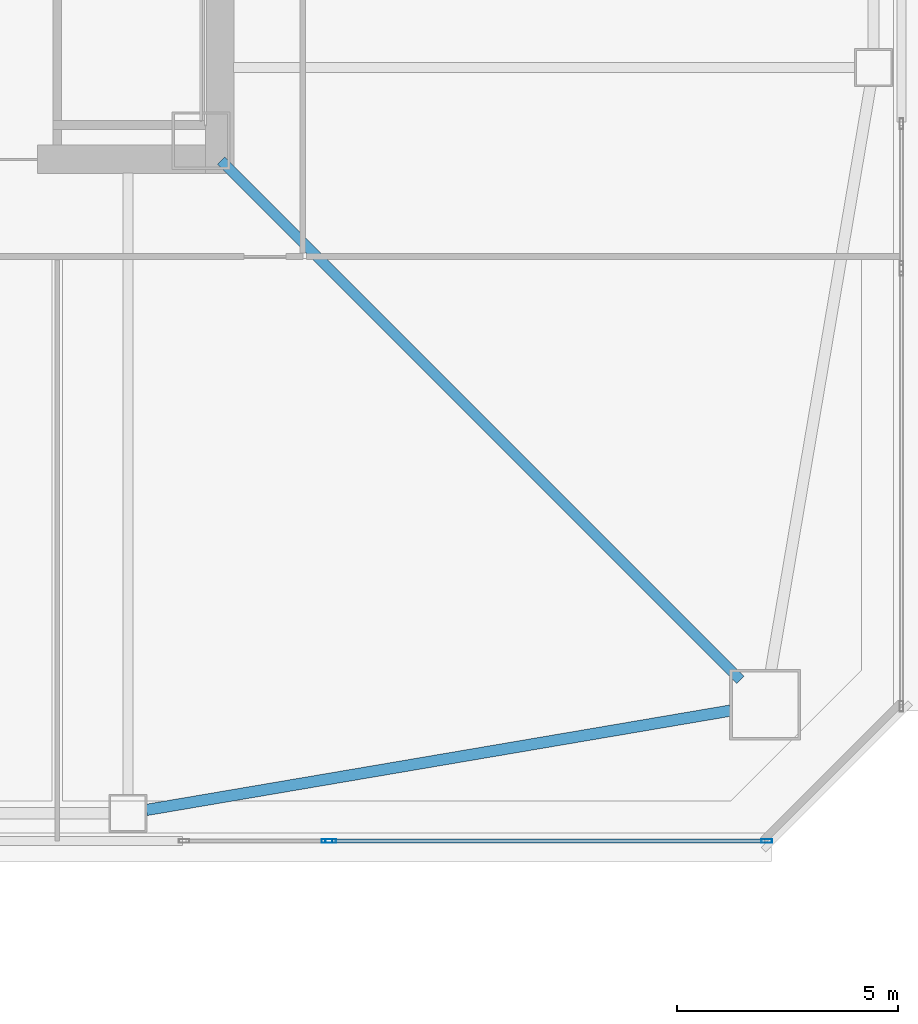
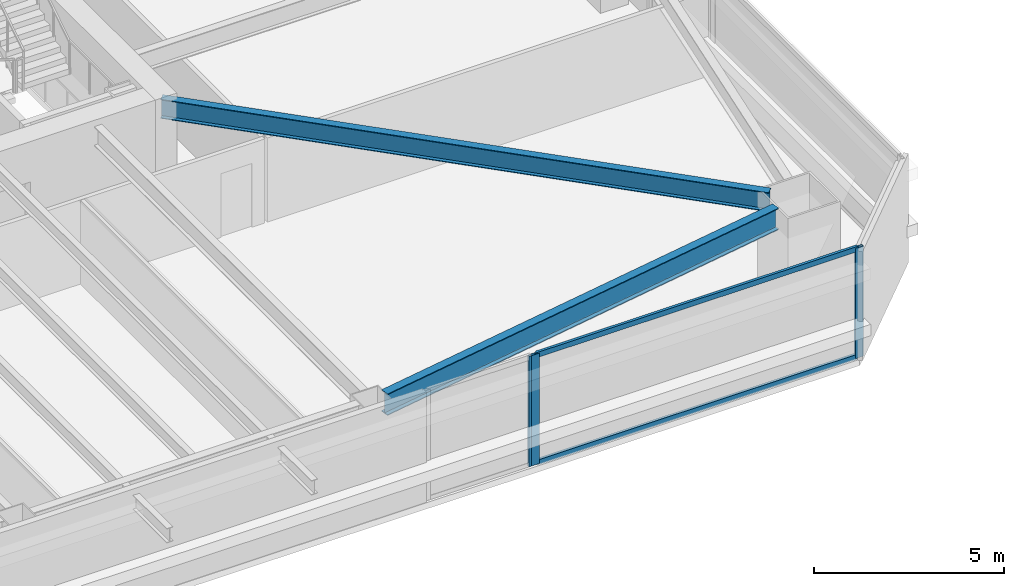
# One storey, part 9 of 46: 5 members, 2 beams, 2 elements without a shape of their own.
"""IFC4 building model written with IfcOpenShell, lengths in metres."""

import ifcopenshell
import ifcopenshell.guid

model = None  # the IFC model being written
_history = None  # IfcOwnerHistory: only IFC2X3 demands one
_inside = {}  # id of a spatial element -> (the spatial element, [elements in it])
_under = {}  # id of a project, library or spatial element -> (it, [spatial elements below it])
_declared = {}  # id of a project -> (the project, [libraries it declares])
_typed = {}  # id of a type object -> (the type object, [elements of that type])
_made_of = {}  # id of a material, layer set ... -> (it, [elements and type objects made of it])


def new_model(schema):
    """Start an empty IFC model of exactly this schema.

    Asked for "IFC4X3", IfcOpenShell would pick the latest addendum, in which some entities
    have other attributes; the version numbers below select the first issue.
    IFC2X3 requires an IfcOwnerHistory on every rooted entity: one is made here for all.
    """
    global model, _history
    if schema == "IFC4X3":
        model = ifcopenshell.file(schema_version=(4, 3, 0, 0))
    else:
        model = ifcopenshell.file(schema=schema)
    _inside.clear()
    _under.clear()
    _declared.clear()
    _typed.clear()
    _made_of.clear()
    _history = None
    if model.schema == "IFC2X3":
        org = make("IfcOrganization", Name="unknown")
        user = make(
            "IfcPersonAndOrganization",
            ThePerson=make("IfcPerson", FamilyName="unknown"),
            TheOrganization=org,
        )
        app = make(
            "IfcApplication",
            ApplicationDeveloper=org,
            Version="unknown",
            ApplicationFullName="unknown",
            ApplicationIdentifier="unknown",
        )
        _history = make(
            "IfcOwnerHistory",
            OwningUser=user,
            OwningApplication=app,
            ChangeAction="ADDED",
            CreationDate=0,
        )
    return model


def make(cls, **values):
    """One entity of the class cls with the attributes given. An attribute that is None is left unset."""
    return model.create_entity(
        cls, **{name: value for name, value in values.items() if value is not None}
    )


def rooted(cls, **values):
    """An entity with a GlobalId (a new one), such as an element, a storey or a relation."""
    return make(cls, GlobalId=ifcopenshell.guid.new(), OwnerHistory=_history, **values)


def si_unit(unit_type, name, prefix=None):
    """IfcSIUnit, for example si_unit("LENGTHUNIT", "METRE", prefix="MILLI")."""
    return make("IfcSIUnit", UnitType=unit_type, Prefix=prefix, Name=name)


def assignment(units):
    """IfcUnitAssignment: the units of a project."""
    return None if units is None else make("IfcUnitAssignment", Units=units)


def point(xyz):
    """IfcCartesianPoint."""
    return None if xyz is None else make("IfcCartesianPoint", Coordinates=xyz)


def direction(xyz):
    """IfcDirection."""
    return None if xyz is None else make("IfcDirection", DirectionRatios=xyz)


def frame(location, z_axis=None, x_axis=None):
    """IfcAxis2Placement3D, a coordinate frame: its origin and axes. An axis left out is left unset."""
    return make(
        "IfcAxis2Placement3D",
        Location=point(location),
        Axis=direction(z_axis),
        RefDirection=direction(x_axis),
    )


def frame_2d(location, x_axis=None):
    """IfcAxis2Placement2D, a coordinate frame in the plane: its origin and x axis."""
    return make(
        "IfcAxis2Placement2D", Location=point(location), RefDirection=direction(x_axis)
    )


def origin():
    """The frame at (0, 0, 0) with its axes left unset."""
    return frame((0.0, 0.0, 0.0))


def origin_2d():
    """The frame at (0, 0) in the plane with its x axis left unset."""
    return frame_2d((0.0, 0.0))


def place(relative_to, where):
    """IfcLocalPlacement: puts the frame where relative to a parent placement (None: the world)."""
    return make(
        "IfcLocalPlacement", PlacementRelTo=relative_to, RelativePlacement=where
    )


def context(
    kind, dimensions, precision=None, world=None, true_north=None, identifier=None
):
    """IfcGeometricRepresentationContext, for example the 3D "Model" context."""
    return make(
        "IfcGeometricRepresentationContext",
        ContextIdentifier=identifier,
        ContextType=kind,
        CoordinateSpaceDimension=dimensions,
        Precision=precision,
        WorldCoordinateSystem=world,
        TrueNorth=true_north,
    )


def subcontext(parent, identifier, kind, view, scale=None):
    """IfcGeometricRepresentationSubContext, for example "Body" below "Model"."""
    return make(
        "IfcGeometricRepresentationSubContext",
        ContextIdentifier=identifier,
        ContextType=kind,
        ParentContext=parent,
        TargetScale=scale,
        TargetView=view,
    )


def project(units=None, contexts=None):
    """IfcProject with its units and contexts."""
    return rooted(
        "IfcProject",
        Name="project",
        RepresentationContexts=contexts,
        UnitsInContext=assignment(units),
    )


def spatial(cls, under=None, at=None, **own):
    """A site, building, storey or space (cls), placed at a placement, below another one or the project."""
    s = rooted(cls, ObjectPlacement=at, **own)
    if under is not None:
        _under.setdefault(under.id(), (under, []))[1].append(s)
    return s


def profile(cls, at=None, kind="AREA", **sizes):
    """A parametric profile (cls). Its sizes go by their IFC names, for example OverallWidth=200.0."""
    return make(cls, ProfileType=kind, Position=at, **sizes)


def hollow_rectangle(**sizes):
    """IfcRectangleHollowProfileDef."""
    return profile("IfcRectangleHollowProfileDef", **sizes)


def i_section(**sizes):
    """IfcIShapeProfileDef."""
    return profile("IfcIShapeProfileDef", **sizes)


def extrude(swept, where, along, depth):
    """IfcExtrudedAreaSolid: the profile swept, set in the frame where, extruded along a direction by depth."""
    return make(
        "IfcExtrudedAreaSolid",
        SweptArea=swept,
        Position=where,
        ExtrudedDirection=direction(along),
        Depth=depth,
    )


def shape(context_of_items, identifier, shape_type, items):
    """IfcShapeRepresentation: the items that make up one representation, for example the "Body"."""
    return make(
        "IfcShapeRepresentation",
        ContextOfItems=context_of_items,
        RepresentationIdentifier=identifier,
        RepresentationType=shape_type,
        Items=items,
    )


def material(Name=None, Category=None):
    """IfcMaterial."""
    return make("IfcMaterial", Name=Name, Category=Category)


def material_profile(
    of_material, cross_section, Name=None, Category=None, Priority=None
):
    """IfcMaterialProfile: a cross section and its material."""
    return make(
        "IfcMaterialProfile",
        Name=Name,
        Material=of_material,
        Profile=cross_section,
        Priority=Priority,
        Category=Category,
    )


def profile_set(profiles, Name=None, composite=None):
    """IfcMaterialProfileSet."""
    return make(
        "IfcMaterialProfileSet",
        Name=Name,
        MaterialProfiles=profiles,
        CompositeProfile=composite,
    )


def made_of(thing, what):
    """Note that an element or type object is made of a material, layer set ...; save() writes the relation."""
    if what is not None:
        _made_of.setdefault(what.id(), (what, []))[1].append(thing)
    return thing


def type_object(cls, material=None, **own):
    """A type object (cls), such as IfcWallType, which elements share."""
    return made_of(rooted(cls, **own), material)


def element(
    cls,
    number,
    at=None,
    inside=None,
    cuts=None,
    type_object=None,
    material=None,
    context=None,
    identifier="Body",
    shape_type=None,
    held_by="IfcProductDefinitionShape",
    body=None,
    shapes=None,
    **own,
):
    """One element of the class cls, such as IfcWall. Its Tag is "e" and its number.

    at: its placement. inside: the storey or other place that contains it. cuts: it is an
    opening in that element (IfcRelVoidsElement). A single representation is given by context,
    identifier, shape_type and body (its items); several are given by shapes. held_by: the class
    of the entity that holds the representations. save() writes the other relations.
    """
    e = rooted(cls, Tag="e%d" % number, ObjectPlacement=at, **own)
    if body is not None:
        shapes = [shape(context, identifier, shape_type, body)]
    if shapes is not None:
        e.Representation = make(held_by, Representations=shapes)
    if inside is not None:
        _inside.setdefault(inside.id(), (inside, []))[1].append(e)
    if cuts is not None:
        rooted(
            "IfcRelVoidsElement", RelatingBuildingElement=cuts, RelatedOpeningElement=e
        )
    if type_object is not None:
        _typed.setdefault(type_object.id(), (type_object, []))[1].append(e)
    return made_of(e, material)


def aggregate(whole, parts):
    """IfcRelAggregates: a whole, such as a stair, and the parts it consists of."""
    return rooted("IfcRelAggregates", RelatingObject=whole, RelatedObjects=parts)


def save(model, path):
    """Write the relations noted so far, then the file.

    IfcRelAggregates (storeys below a building ...), IfcRelContainedInSpatialStructure (elements
    in a storey), IfcRelDefinesByType, IfcRelAssociatesMaterial and IfcRelDeclares: one each for
    every whole, place, type object, material and project.
    """
    for whole, parts in _under.values():
        aggregate(whole, parts)
    for where, things in _inside.values():
        rooted(
            "IfcRelContainedInSpatialStructure",
            RelatedElements=things,
            RelatingStructure=where,
        )
    for kind, things in _typed.values():
        rooted("IfcRelDefinesByType", RelatedObjects=things, RelatingType=kind)
    for what, things in _made_of.values():
        rooted("IfcRelAssociatesMaterial", RelatedObjects=things, RelatingMaterial=what)
    for by, libraries in _declared.values():
        rooted("IfcRelDeclares", RelatingContext=by, RelatedDefinitions=libraries)
    model.write(path)


model = new_model("IFC4")

# Units and contexts
model_context = context("Model", 3, precision=1e-05, world=origin(), true_north=direction((0.0, 1.0)))
body_context = subcontext(model_context, "Body", "Model", "MODEL_VIEW")
ifc_project = project(units=[si_unit("LENGTHUNIT", "METRE"), si_unit("AREAUNIT", "SQUARE_METRE"), si_unit("VOLUMEUNIT", "CUBIC_METRE"), si_unit("PLANEANGLEUNIT", "RADIAN"), si_unit("MASSUNIT", "GRAM", prefix="KILO")], contexts=[model_context])

# Site, building, storey
site_placement = place(None, origin())
site = spatial("IfcSite", under=ifc_project, at=site_placement, CompositionType="ELEMENT")
building_placement = place(site_placement, origin())
building = spatial("IfcBuilding", under=site, at=building_placement, Name="Tashvorn Skyway Center", CompositionType="ELEMENT")
storey_placement = place(building_placement, frame((0.0, 0.0, 31.699951171875)))
storey = spatial("IfcBuildingStorey", under=building, at=storey_placement, Name="L07", CompositionType="ELEMENT", Elevation=31.699951171875)

# Beams
ifc_material_1 = material(Name="Steel ASTM A992 Grade 50", Category="steel")
ifc_material_profile_1 = material_profile(ifc_material_1, i_section(OverallWidth=0.22998046875, OverallDepth=0.616943359375, WebThickness=0.01318359375, FlangeThickness=0.022216796875, at=origin_2d()), Name="W24X94")
ifc_profile_set_1 = profile_set([ifc_material_profile_1], Name="Steel ASTM A992 Grade 50")
beam_type_1 = type_object("IfcBeamType", Name="BM-BEAM-W24X94", PredefinedType="BEAM", material=ifc_profile_set_1)
beam_1_placement = place(storey_placement, frame((61.23779296875, 12.76220703125, 3.04150390625), z_axis=(-0.707106781187, 0.707106781187, 0.0), x_axis=(-0.707106781187, -0.707106781187, 0.0)))
element("IfcBeam", 1, at=beam_1_placement, inside=storey, type_object=beam_type_1, Name="Tower 1 L07 Primary Floor Girder MC-SE", PredefinedType="BEAM", context=body_context, shape_type="SweptSolid", body=[
    extrude(i_section(OverallWidth=0.22998046875, OverallDepth=0.616943359375, WebThickness=0.01318359375, FlangeThickness=0.022216796875, at=origin_2d()), origin(), (0.0, 0.0, 1.0), 16.591064453125),
])
ifc_material_profile_2 = material_profile(ifc_material_1, i_section(OverallWidth=0.256103515625, OverallDepth=0.693115234375, WebThickness=0.014404296875, FlangeThickness=0.023681640625, at=origin_2d()), Name="W27X114")
ifc_profile_set_2 = profile_set([ifc_material_profile_2], Name="Steel ASTM A992 Grade 50")
beam_type_2 = type_object("IfcBeamType", Name="BM-SPANDREL-W27X114", PredefinedType="SPANDREL", material=ifc_profile_set_2)
beam_2_placement = place(storey_placement, frame((47.81396484375, 9.820556640625, 3.003662109375), z_axis=(0.985835025551, 0.16771792509, 0.0), x_axis=(-0.16771792509, 0.985835025551, 0.0)))
element("IfcBeam", 2, at=beam_2_placement, inside=storey, type_object=beam_type_2, Name="Tower 1 L07 Spandrel Beam 03", PredefinedType="SPANDREL", context=body_context, shape_type="SweptSolid", body=[
    extrude(i_section(OverallWidth=0.256103515625, OverallDepth=0.693115234375, WebThickness=0.014404296875, FlangeThickness=0.023681640625, at=origin_2d()), origin(), (0.0, 0.0, 1.0), 13.39208984375),
])

# Curtain wall, members
ifc_material_2 = material(Name="Thermally broken bronze-anodized aluminium 6063-T6", Category="aluminium")
curtain_wall_type = type_object("IfcCurtainWallType", Name="CW-CW-Z1", PredefinedType="NOTDEFINED", material=ifc_material_2)
curtain_wall_1_placement = place(storey_placement, origin())
curtain_wall_1 = element("IfcCurtainWall", 3, at=curtain_wall_1_placement, inside=storey, type_object=curtain_wall_type, Name="Tower 1 L07 South Unitised Curtain Wall Glazing Group 1", PredefinedType="NOTDEFINED")
ifc_material_profile_3 = material_profile(ifc_material_2, hollow_rectangle(XDim=0.0849609375, YDim=0.239990234375, WallThickness=0.0048828125, at=origin_2d()), Name="ALU-MULL-85x240")
ifc_profile_set_3 = profile_set([ifc_material_profile_3], Name="Thermally broken bronze-anodized aluminium 6063-T6")
member_type_1 = type_object("IfcMemberType", Name="CWM-CW-Z1", PredefinedType="MULLION", material=ifc_profile_set_3)
member_1_placement = place(storey_placement, frame((61.83740234375, 9.1201171875, 0.0), z_axis=(0.0, 0.0, 1.0), x_axis=(0.0, -1.0, 0.0)))
member_1 = element("IfcMember", 4, at=member_1_placement, type_object=member_type_1, Name="CW-Z1 mullion 1", PredefinedType="MULLION", context=body_context, shape_type="SweptSolid", body=[
    extrude(hollow_rectangle(XDim=0.0849609375, YDim=0.239990234375, WallThickness=0.0048828125, at=origin_2d()), origin(), (0.0, 0.0, 1.0), 3.550048828125),
])
member_2_placement = place(storey_placement, frame((51.982421875, 9.1201171875, 0.0), z_axis=(0.0, 0.0, 1.0), x_axis=(0.0, -1.0, 0.0)))
member_2 = element("IfcMember", 5, at=member_2_placement, type_object=member_type_1, Name="CW-Z1 mullion 2", PredefinedType="MULLION", context=body_context, shape_type="SweptSolid", body=[
    extrude(hollow_rectangle(XDim=0.0849609375, YDim=0.239990234375, WallThickness=0.0048828125, at=origin_2d()), origin(), (0.0, 0.0, 1.0), 3.550048828125),
])

# Curtain wall, member
curtain_wall_2_placement = place(storey_placement, origin())
curtain_wall_2 = element("IfcCurtainWall", 6, at=curtain_wall_2_placement, inside=storey, type_object=curtain_wall_type, Name="Tower 1 L07 South Unitised Curtain Wall Glazing Group 2", PredefinedType="NOTDEFINED")
member_3_placement = place(storey_placement, frame((51.8974609375, 9.1201171875, 0.0), z_axis=(0.0, 0.0, 1.0), x_axis=(0.0, -1.0, 0.0)))
member_3 = element("IfcMember", 7, at=member_3_placement, type_object=member_type_1, Name="CW-Z1 mullion 1", PredefinedType="MULLION", context=body_context, shape_type="SweptSolid", body=[
    extrude(hollow_rectangle(XDim=0.0849609375, YDim=0.239990234375, WallThickness=0.0048828125, at=origin_2d()), origin(), (0.0, 0.0, 1.0), 3.550048828125),
])
aggregate(curtain_wall_2, [member_3])

# Member
ifc_material_profile_4 = material_profile(ifc_material_2, hollow_rectangle(XDim=0.0849609375, YDim=0.1650390625, WallThickness=0.0048828125, at=origin_2d()), Name="ALU-TRAN-85x165")
ifc_profile_set_4 = profile_set([ifc_material_profile_4], Name="Thermally broken bronze-anodized aluminium 6063-T6")
member_type_2 = type_object("IfcMemberType", Name="CWT-CW-Z1", PredefinedType="USERDEFINED", material=ifc_profile_set_4)
member_4_placement = place(storey_placement, frame((61.794921875, 9.1201171875, 0.04248046875), z_axis=(-1.0, 0.0, 0.0), x_axis=(0.0, -1.0, 0.0)))
member_4 = element("IfcMember", 8, at=member_4_placement, type_object=member_type_2, Name="CW-Z1 transom 1.1", ObjectType="TRANSOM", PredefinedType="USERDEFINED", context=body_context, shape_type="SweptSolid", body=[
    extrude(hollow_rectangle(XDim=0.0849609375, YDim=0.1650390625, WallThickness=0.0048828125, at=origin_2d()), origin(), (0.0, 0.0, 1.0), 9.77001953125),
])

member_5_placement = place(storey_placement, frame((61.794921875, 9.1201171875, 3.507568359375), z_axis=(-1.0, 0.0, 0.0), x_axis=(0.0, -1.0, 0.0)))
member_5 = element("IfcMember", 9, at=member_5_placement, type_object=member_type_2, Name="CW-Z1 transom 1.2", ObjectType="TRANSOM", PredefinedType="USERDEFINED", context=body_context, shape_type="SweptSolid", body=[
    extrude(hollow_rectangle(XDim=0.0849609375, YDim=0.1650390625, WallThickness=0.0048828125, at=origin_2d()), origin(), (0.0, 0.0, 1.0), 9.77001953125),
])

aggregate(curtain_wall_1, [member_1, member_2, member_4, member_5])

save(model, "model.ifc")
